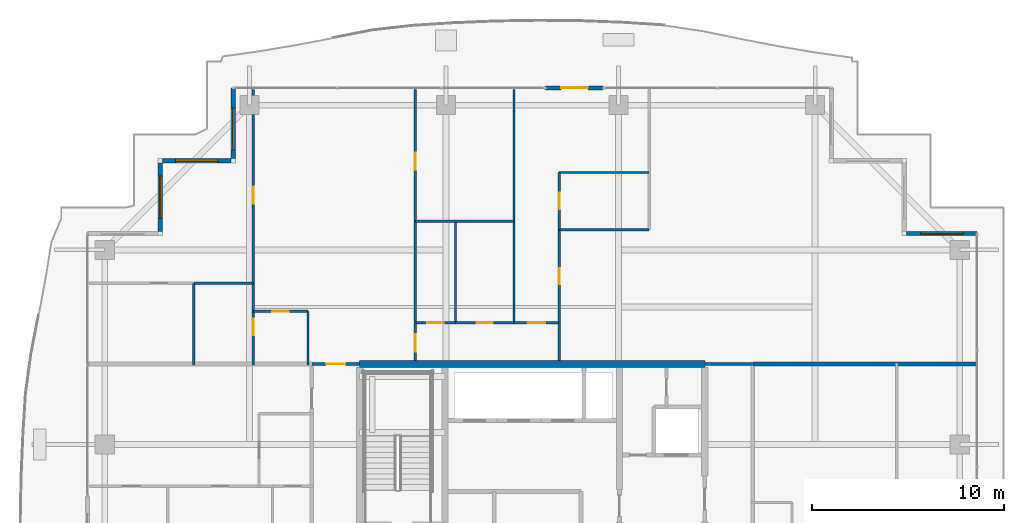
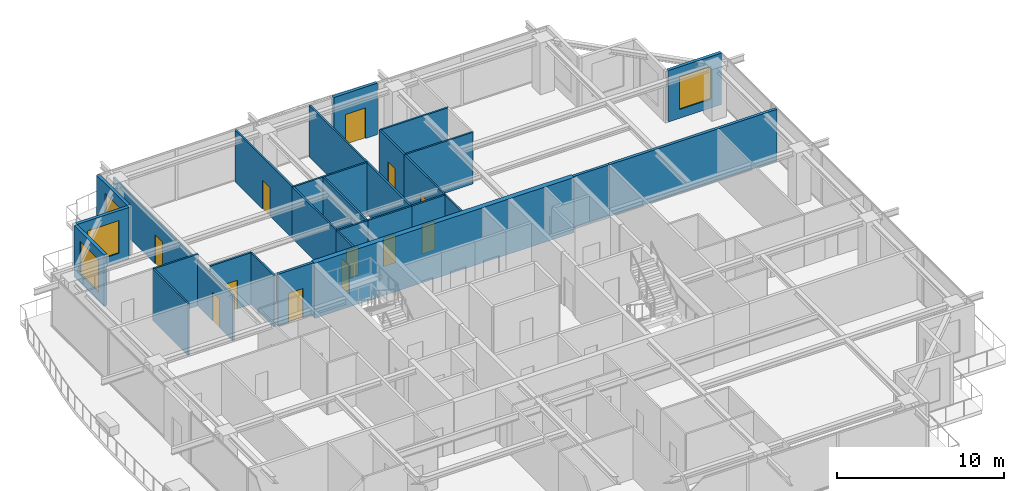
# One storey, part 29 of 37: 29 walls, 12 doors, 4 windows, 16 openings.
"""IFC4 building model written with IfcOpenShell, lengths in metres."""

from ifc_helpers import new_model, si_unit, direction, frame, frame_2d, origin, place, context, subcontext, project, spatial, rectangle, extrude, source, transform, mapped, material, layer, layer_set, type_object, element, fill, save


model = new_model("IFC4")

# Units and contexts
model_context = context("Model", 3, precision=1e-05, world=origin(), true_north=direction((0.0, 1.0)))
body_context = subcontext(model_context, "Body", "Model", "MODEL_VIEW")
ifc_project = project(units=[si_unit("LENGTHUNIT", "METRE"), si_unit("AREAUNIT", "SQUARE_METRE"), si_unit("VOLUMEUNIT", "CUBIC_METRE"), si_unit("PLANEANGLEUNIT", "RADIAN"), si_unit("MASSUNIT", "GRAM", prefix="KILO")], contexts=[model_context])

# Site, building, storey
site_placement = place(None, origin())
site = spatial("IfcSite", under=ifc_project, at=site_placement, CompositionType="ELEMENT")
building_placement = place(site_placement, origin())
building = spatial("IfcBuilding", under=site, at=building_placement, Name="Serunith Strait Residences", CompositionType="ELEMENT")
storey_placement = place(building_placement, frame((0.0, 0.0, 317.75)))
storey = spatial("IfcBuildingStorey", under=building, at=storey_placement, Name="L79", CompositionType="ELEMENT", Elevation=317.75)

# Wall, opening, window
ifc_material_1 = material(Name="Pale-Champagne Aluminium Insulated Panel", Category="aluminium")
ifc_layer_1 = layer(ifc_material_1, 0.219970703125, Name="Pale-Champagne Aluminium Insulated Panel")
ifc_layer_set_1 = layer_set([ifc_layer_1], Name="Pale-Champagne Aluminium Insulated Panel")
wall_type_1 = type_object("IfcWallType", Name="EW-ALUM-220", PredefinedType="ELEMENTEDWALL", material=ifc_layer_set_1)
wall_1_placement = place(storey_placement, frame((55.60009765625, 40.39990234375, 0.0), z_axis=(0.0, 0.0, 1.0), x_axis=(-1.0, 0.0, 0.0)))
wall_1 = element("IfcWall", 1, at=wall_1_placement, inside=storey, type_object=wall_type_1, Name="L79 Girih Serrated Corner Wall 07", PredefinedType="ELEMENTEDWALL", context=body_context, shape_type="SweptSolid", body=[
    extrude(rectangle(XDim=3.690185546875, YDim=0.219970703125, at=frame_2d((1.84521484375, 0.0))), origin(), (0.0, 0.0, 1.0), 3.77490234375),
])
opening_1_placement = place(wall_1_placement, frame((0.7451171875, 0.0, 0.64990234375)))
opening_1 = element("IfcOpeningElement", 2, at=opening_1_placement, cuts=wall_1, Name="Opening W-06", PredefinedType="OPENING", context=body_context, shape_type="SweptSolid", body=[
    extrude(rectangle(XDim=2.199951171875, YDim=2.39990234375, at=frame_2d((1.10009765625, 1.199951171875))), frame((0.0, 0.1201171875, 0.0), z_axis=(0.0, -1.0, 0.0), x_axis=(1.0, 0.0, 0.0)), (0.0, 0.0, 1.0), 0.239990234375),
])
ifc_material_2 = material(Name="Crown Penthouse Low-E Operable Window Glass", Category="glass")
window_type = type_object("IfcWindowType", Name="WIN-C6", PartitioningType="TRIPLE_PANEL_VERTICAL", PredefinedType="WINDOW", material=ifc_material_2)
shared_shape_1 = source(origin(), body_context, "Body", "SweptSolid", [
    extrude(rectangle(XDim=2.199951171875, YDim=2.39990234375, at=frame_2d((1.10009765625, 1.199951171875))), frame((0.0, 0.030029296875, 0.0), z_axis=(0.0, -1.0, 0.0), x_axis=(1.0, 0.0, 0.0)), (0.0, 0.0, 1.0), 0.06005859375),
])
window_1_placement = place(opening_1_placement, origin())
window_1 = element("IfcWindow", 3, at=window_1_placement, inside=storey, type_object=window_type, Name="L79 Corner Operable Fritted Window 07", OverallHeight=2.39990234375, OverallWidth=2.199951171875, PartitioningType="SINGLE_PANEL", PredefinedType="WINDOW", context=body_context, shape_type="MappedRepresentation", body=[
    mapped(shared_shape_1, transform((0.0, 0.0, 0.0), scale=1.0)),
])
fill(opening_1, window_1)

# Wall, opening, door
wall_2_placement = place(storey_placement, frame((36.10009765625, 48.0, 0.0), z_axis=(0.0, 0.0, 1.0), x_axis=(-1.0, 0.0, 0.0)))
wall_2 = element("IfcWall", 4, at=wall_2_placement, inside=storey, type_object=wall_type_1, Name="L79 N Facade Pier Wall", PredefinedType="ELEMENTEDWALL", context=body_context, shape_type="SweptSolid", body=[
    extrude(rectangle(XDim=3.0, YDim=0.219970703125, at=frame_2d((1.5, 0.0))), origin(), (0.0, 0.0, 1.0), 3.77490234375),
])
opening_2_placement = place(wall_2_placement, frame((0.800048828125, 0.0, 0.0)))
opening_2 = element("IfcOpeningElement", 5, at=opening_2_placement, cuts=wall_2, Name="Opening ED-04", PredefinedType="OPENING", context=body_context, shape_type="SweptSolid", body=[
    extrude(rectangle(XDim=1.39990234375, YDim=2.25, at=frame_2d((0.699951171875, 1.125))), frame((0.0, 0.1201171875, 0.0), z_axis=(0.0, -1.0, 0.0), x_axis=(1.0, 0.0, 0.0)), (0.0, 0.0, 1.0), 0.239990234375),
])
ifc_material_3 = material(Name="Thermally-Broken Aluminium Sliding Balcony Door", Category="aluminium")
door_type_1 = type_object("IfcDoorType", Name="ED-BALC-1400", OperationType="NOTDEFINED", PredefinedType="DOOR", material=ifc_material_3)
shared_shape_2 = source(origin(), body_context, "Body", "SweptSolid", [
    extrude(rectangle(XDim=1.39990234375, YDim=2.25, at=frame_2d((0.699951171875, 1.125))), frame((0.0, 0.02490234375, 0.0), z_axis=(0.0, -1.0, 0.0), x_axis=(1.0, 0.0, 0.0)), (0.0, 0.0, 1.0), 0.050048828125),
])
door_1_placement = place(opening_2_placement, origin())
door_1 = element("IfcDoor", 6, at=door_1_placement, inside=storey, type_object=door_type_1, Name="L79 N Vertical-Forest Balcony Door", OperationType="SLIDING_TO_LEFT", OverallHeight=2.25, OverallWidth=1.39990234375, PredefinedType="DOOR", context=body_context, shape_type="MappedRepresentation", body=[
    mapped(shared_shape_2, transform((0.0, 0.0, 0.0), scale=1.0)),
])
fill(opening_2, door_1)

# Wall, opening, window
wall_3_placement = place(storey_placement, frame((16.800048828125, 48.0, 0.0), z_axis=(0.0, 0.0, 1.0), x_axis=(0.0, -1.0, 0.0)))
wall_3 = element("IfcWall", 7, at=wall_3_placement, inside=storey, type_object=wall_type_1, Name="L79 Girih Serrated Corner Wall 12", PredefinedType="ELEMENTEDWALL", context=body_context, shape_type="SweptSolid", body=[
    extrude(rectangle(XDim=3.68994140625, YDim=0.219970703125, at=frame_2d((1.844970703125, 0.0))), origin(), (0.0, 0.0, 1.0), 3.77490234375),
])
opening_3_placement = place(wall_3_placement, frame((1.04296875, 0.0, 0.64990234375)))
opening_3 = element("IfcOpeningElement", 8, at=opening_3_placement, cuts=wall_3, Name="Opening W-06", PredefinedType="OPENING", context=body_context, shape_type="SweptSolid", body=[
    extrude(rectangle(XDim=2.199951171875, YDim=2.39990234375, at=frame_2d((1.10009765625, 1.199951171875))), frame((0.0, 0.1201171875, 0.0), z_axis=(0.0, -1.0, 0.0), x_axis=(1.0, 0.0, 0.0)), (0.0, 0.0, 1.0), 0.239990234375),
])
window_2_placement = place(opening_3_placement, origin())
window_2 = element("IfcWindow", 9, at=window_2_placement, inside=storey, type_object=window_type, Name="L79 Corner Operable Fritted Window 12", OverallHeight=2.39990234375, OverallWidth=2.199951171875, PartitioningType="SINGLE_PANEL", PredefinedType="WINDOW", context=body_context, shape_type="MappedRepresentation", body=[
    mapped(shared_shape_1, transform((0.0, 0.0, 0.0), scale=1.0)),
])
fill(opening_3, window_2)

wall_4_placement = place(storey_placement, frame((16.68994140625, 44.199951171875, 0.0), z_axis=(0.0, 0.0, 1.0), x_axis=(-1.0, 0.0, 0.0)))
wall_4 = element("IfcWall", 10, at=wall_4_placement, inside=storey, type_object=wall_type_1, Name="L79 Girih Serrated Corner Wall 13", PredefinedType="ELEMENTEDWALL", context=body_context, shape_type="SweptSolid", body=[
    extrude(rectangle(XDim=3.579833984375, YDim=0.219970703125, at=frame_2d((1.7900390625, 0.0))), origin(), (0.0, 0.0, 1.0), 3.77490234375),
])
opening_4_placement = place(wall_4_placement, frame((0.68994140625, 0.0, 0.64990234375)))
opening_4 = element("IfcOpeningElement", 11, at=opening_4_placement, cuts=wall_4, Name="Opening W-06", PredefinedType="OPENING", context=body_context, shape_type="SweptSolid", body=[
    extrude(rectangle(XDim=2.199951171875, YDim=2.39990234375, at=frame_2d((1.10009765625, 1.199951171875))), frame((0.0, 0.1201171875, 0.0), z_axis=(0.0, -1.0, 0.0), x_axis=(1.0, 0.0, 0.0)), (0.0, 0.0, 1.0), 0.239990234375),
])
window_3_placement = place(opening_4_placement, origin())
window_3 = element("IfcWindow", 12, at=window_3_placement, inside=storey, type_object=window_type, Name="L79 Corner Operable Fritted Window 13", OverallHeight=2.39990234375, OverallWidth=2.199951171875, PartitioningType="SINGLE_PANEL", PredefinedType="WINDOW", context=body_context, shape_type="MappedRepresentation", body=[
    mapped(shared_shape_1, transform((0.0, 0.0, 0.0), scale=1.0)),
])
fill(opening_4, window_3)

wall_5_placement = place(storey_placement, frame((13.0, 44.090087890625, 0.0), z_axis=(0.0, 0.0, 1.0), x_axis=(0.0, -1.0, 0.0)))
wall_5 = element("IfcWall", 13, at=wall_5_placement, inside=storey, type_object=wall_type_1, Name="L79 Girih Serrated Corner Wall 14", PredefinedType="ELEMENTEDWALL", context=body_context, shape_type="SweptSolid", body=[
    extrude(rectangle(XDim=3.580078125, YDim=0.219970703125, at=frame_2d((1.7900390625, 0.0))), origin(), (0.0, 0.0, 1.0), 3.77490234375),
])
opening_5_placement = place(wall_5_placement, frame((0.68994140625, 0.0, 0.64990234375)))
opening_5 = element("IfcOpeningElement", 14, at=opening_5_placement, cuts=wall_5, Name="Opening W-06", PredefinedType="OPENING", context=body_context, shape_type="SweptSolid", body=[
    extrude(rectangle(XDim=2.199951171875, YDim=2.39990234375, at=frame_2d((1.10009765625, 1.199951171875))), frame((0.0, 0.1201171875, 0.0), z_axis=(0.0, -1.0, 0.0), x_axis=(1.0, 0.0, 0.0)), (0.0, 0.0, 1.0), 0.239990234375),
])
window_4_placement = place(opening_5_placement, origin())
window_4 = element("IfcWindow", 15, at=window_4_placement, inside=storey, type_object=window_type, Name="L79 Corner Operable Fritted Window 14", OverallHeight=2.39990234375, OverallWidth=2.199951171875, PartitioningType="SINGLE_PANEL", PredefinedType="WINDOW", context=body_context, shape_type="MappedRepresentation", body=[
    mapped(shared_shape_1, transform((0.0, 0.0, 0.0), scale=1.0)),
])
fill(opening_5, window_4)

# Wall, opening, door
ifc_material_4 = material(Name="Fire-rated acoustic gypsum partition")
ifc_layer_2 = layer(ifc_material_4, 0.179931640625, Name="Fire-rated acoustic gypsum partition")
ifc_layer_set_2 = layer_set([ifc_layer_2], Name="Fire-rated acoustic gypsum partition")
wall_type_2 = type_object("IfcWallType", Name="IW-CORR-180", PredefinedType="PARTITIONING", material=ifc_layer_set_2)
wall_6_placement = place(storey_placement, frame((20.902099609375, 33.60009765625, 0.0), z_axis=(0.0, 0.0, 1.0), x_axis=(1.0, 0.0, 0.0)))
wall_6 = element("IfcWall", 16, at=wall_6_placement, inside=storey, type_object=wall_type_2, Name="L79 Partition Wall 025", PredefinedType="PARTITIONING", context=body_context, shape_type="SweptSolid", body=[
    extrude(rectangle(XDim=2.495849609375, YDim=0.179931640625, at=frame_2d((1.248046875, 0.0))), origin(), (0.0, 0.0, 1.0), 3.7900390625),
])
opening_6_placement = place(wall_6_placement, frame((0.748046875, 0.0, 0.0)))
opening_6 = element("IfcOpeningElement", 17, at=opening_6_placement, cuts=wall_6, Name="Opening D-APT1000", PredefinedType="OPENING", context=body_context, shape_type="SweptSolid", body=[
    extrude(rectangle(XDim=1.0, YDim=2.14990234375, at=frame_2d((0.5, 1.074951171875))), frame((0.0, 0.10009765625, 0.0), z_axis=(0.0, -1.0, 0.0), x_axis=(1.0, 0.0, 0.0)), (0.0, 0.0, 1.0), 0.199951171875),
])
ifc_material_5 = material(Name="Solid timber engineered fire door", Category="wood")
door_type_2 = type_object("IfcDoorType", Name="ID-APT-1000", OperationType="NOTDEFINED", PredefinedType="DOOR", material=ifc_material_5)
shared_shape_3 = source(origin(), body_context, "Body", "SweptSolid", [
    extrude(rectangle(XDim=1.0, YDim=2.14990234375, at=frame_2d((0.5, 1.074951171875))), frame((0.0, 0.02490234375, 0.0), z_axis=(0.0, -1.0, 0.0), x_axis=(1.0, 0.0, 0.0)), (0.0, 0.0, 1.0), 0.050048828125),
])
door_2_placement = place(opening_6_placement, origin())
door_2 = element("IfcDoor", 18, at=door_2_placement, inside=storey, type_object=door_type_2, Name="L79 Unit 02 Entrance Door", OperationType="SINGLE_SWING_RIGHT", OverallHeight=2.14990234375, OverallWidth=1.0, PredefinedType="DOOR", context=body_context, shape_type="MappedRepresentation", body=[
    mapped(shared_shape_3, transform((0.0, 0.0, 0.0), scale=1.0)),
])
fill(opening_6, door_2)

# Wall
wall_7_placement = place(storey_placement, frame((41.402099609375, 33.60009765625, 0.0), z_axis=(0.0, 0.0, 1.0), x_axis=(1.0, 0.0, 0.0)))
element("IfcWall", 19, at=wall_7_placement, inside=storey, type_object=wall_type_2, Name="L79 Partition Wall 028", PredefinedType="PARTITIONING", context=body_context, shape_type="SweptSolid", body=[
    extrude(rectangle(XDim=2.495849609375, YDim=0.179931640625, at=frame_2d((1.248046875, 0.0))), origin(), (0.0, 0.0, 1.0), 3.7900390625),
])

# Wall, opening, door
ifc_material_6 = material(Name="Lightweight steel-stud gypsum partition", Category="steel")
ifc_layer_3 = layer(ifc_material_6, 0.1201171875, Name="Lightweight steel-stud gypsum partition")
ifc_layer_set_3 = layer_set([ifc_layer_3], Name="Lightweight steel-stud gypsum partition")
wall_type_3 = type_object("IfcWallType", Name="IW-PART-120", PredefinedType="PARTITIONING", material=ifc_layer_set_3)
wall_8_placement = place(storey_placement, frame((17.85009765625, 36.35009765625, 0.0), z_axis=(0.0, 0.0, 1.0), x_axis=(1.0, 0.0, 0.0)))
wall_8 = element("IfcWall", 20, at=wall_8_placement, inside=storey, type_object=wall_type_3, Name="L79 Partition Wall 052", PredefinedType="PARTITIONING", context=body_context, shape_type="SweptSolid", body=[
    extrude(rectangle(XDim=2.849853515625, YDim=0.1201171875, at=frame_2d((1.4248046875, 0.0))), origin(), (0.0, 0.0, 1.0), 3.7900390625),
])
opening_7_placement = place(wall_8_placement, frame((1.0, 0.0, 0.0)))
opening_7 = element("IfcOpeningElement", 21, at=opening_7_placement, cuts=wall_8, Name="Opening D-RM850", PredefinedType="OPENING", context=body_context, shape_type="SweptSolid", body=[
    extrude(rectangle(XDim=0.85009765625, YDim=2.10009765625, at=frame_2d((0.425048828125, 1.050048828125))), frame((0.0, 0.070068359375, 0.0), z_axis=(0.0, -1.0, 0.0), x_axis=(1.0, 0.0, 0.0)), (0.0, 0.0, 1.0), 0.14013671875),
])
ifc_material_7 = material(Name="Engineered timber flush study and kitchen door", Category="wood")
door_type_3 = type_object("IfcDoorType", Name="ID-ROOM-850", OperationType="NOTDEFINED", PredefinedType="DOOR", material=ifc_material_7)
shared_shape_4 = source(origin(), body_context, "Body", "SweptSolid", [
    extrude(rectangle(XDim=0.85009765625, YDim=2.10009765625, at=frame_2d((0.425048828125, 1.050048828125))), frame((0.0, 0.02490234375, 0.0), z_axis=(0.0, -1.0, 0.0), x_axis=(1.0, 0.0, 0.0)), (0.0, 0.0, 1.0), 0.050048828125),
])
door_3_placement = place(opening_7_placement, origin())
door_3 = element("IfcDoor", 22, at=door_3_placement, inside=storey, type_object=door_type_3, Name="L79 Kitchen 7902 Door", OperationType="SINGLE_SWING_RIGHT", OverallHeight=2.10009765625, OverallWidth=0.85009765625, PredefinedType="DOOR", context=body_context, shape_type="MappedRepresentation", body=[
    mapped(shared_shape_4, transform((0.0, 0.0, 0.0), scale=1.0)),
])
fill(opening_7, door_3)

# Wall
wall_9_placement = place(storey_placement, frame((20.699951171875, 36.35009765625, 0.0), z_axis=(0.0, 0.0, 1.0), x_axis=(0.0, -1.0, 0.0)))
element("IfcWall", 23, at=wall_9_placement, inside=storey, type_object=wall_type_3, Name="L79 Partition Wall 053", PredefinedType="PARTITIONING", context=body_context, shape_type="SweptSolid", body=[
    extrude(rectangle(XDim=2.81005859375, YDim=0.1201171875, at=frame_2d((1.405029296875, 0.0))), origin(), (0.0, 0.0, 1.0), 3.7900390625),
])

# Wall, opening, door
wall_10_placement = place(storey_placement, frame((17.85009765625, 47.905029296875, 0.0), z_axis=(0.0, 0.0, 1.0), x_axis=(0.0, -1.0, 0.0)))
wall_10 = element("IfcWall", 24, at=wall_10_placement, inside=storey, type_object=wall_type_3, Name="L79 Partition Wall 054", PredefinedType="PARTITIONING", context=body_context, shape_type="SweptSolid", body=[
    extrude(rectangle(XDim=10.09814453125, YDim=0.1201171875, at=frame_2d((5.049072265625, 0.0))), origin(), (0.0, 0.0, 1.0), 3.2919921875),
])
opening_8_placement = place(wall_10_placement, frame((5.05908203125, 0.0, 0.0)))
opening_8 = element("IfcOpeningElement", 25, at=opening_8_placement, cuts=wall_10, Name="Opening D-RM900", PredefinedType="OPENING", context=body_context, shape_type="SweptSolid", body=[
    extrude(rectangle(XDim=0.89990234375, YDim=2.10009765625, at=frame_2d((0.449951171875, 1.050048828125))), frame((0.0, 0.070068359375, 0.0), z_axis=(0.0, -1.0, 0.0), x_axis=(1.0, 0.0, 0.0)), (0.0, 0.0, 1.0), 0.14013671875),
])
ifc_material_8 = material(Name="Engineered timber flush bedroom door", Category="wood")
door_type_4 = type_object("IfcDoorType", Name="ID-ROOM-900", OperationType="NOTDEFINED", PredefinedType="DOOR", material=ifc_material_8)
shared_shape_5 = source(origin(), body_context, "Body", "SweptSolid", [
    extrude(rectangle(XDim=0.89990234375, YDim=2.10009765625, at=frame_2d((0.449951171875, 1.050048828125))), frame((0.0, 0.02490234375, 0.0), z_axis=(0.0, -1.0, 0.0), x_axis=(1.0, 0.0, 0.0)), (0.0, 0.0, 1.0), 0.050048828125),
])
door_4_placement = place(opening_8_placement, origin())
door_4 = element("IfcDoor", 26, at=door_4_placement, inside=storey, type_object=door_type_4, Name="L79 Master Bedroom 1 7902 Door", OperationType="SINGLE_SWING_LEFT", OverallHeight=2.10009765625, OverallWidth=0.89990234375, PredefinedType="DOOR", context=body_context, shape_type="MappedRepresentation", body=[
    mapped(shared_shape_5, transform((0.0, 0.0, 0.0), scale=1.0)),
])
fill(opening_8, door_4)

# Walls
wall_11_placement = place(storey_placement, frame((14.751953125, 37.806884765625, 0.0), z_axis=(0.0, 0.0, 1.0), x_axis=(1.0, 0.0, 0.0)))
element("IfcWall", 27, at=wall_11_placement, inside=storey, type_object=wall_type_3, Name="L79 Partition Wall 056", PredefinedType="PARTITIONING", context=body_context, shape_type="SweptSolid", body=[
    extrude(rectangle(XDim=3.09814453125, YDim=0.1201171875, at=frame_2d((1.549072265625, 0.0))), origin(), (0.0, 0.0, 1.0), 3.7900390625),
])
wall_12_placement = place(storey_placement, frame((14.75, 37.806884765625, 0.0), z_axis=(0.0, 0.0, 1.0), x_axis=(0.0, -1.0, 0.0)))
element("IfcWall", 28, at=wall_12_placement, inside=storey, type_object=wall_type_3, Name="L79 Partition Wall 057", PredefinedType="PARTITIONING", context=body_context, shape_type="SweptSolid", body=[
    extrude(rectangle(XDim=4.266845703125, YDim=0.1201171875, at=frame_2d((2.13330078125, 0.0))), origin(), (0.0, 0.0, 1.0), 3.7900390625),
])

# Wall, opening, door
wall_13_placement = place(storey_placement, frame((17.85009765625, 37.804931640625, 0.0), z_axis=(0.0, 0.0, 1.0), x_axis=(0.0, -1.0, 0.0)))
wall_13 = element("IfcWall", 29, at=wall_13_placement, inside=storey, type_object=wall_type_3, Name="L79 Partition Wall 058", PredefinedType="PARTITIONING", context=body_context, shape_type="SweptSolid", body=[
    extrude(rectangle(XDim=4.264892578125, YDim=0.1201171875, at=frame_2d((2.13232421875, 0.0))), origin(), (0.0, 0.0, 1.0), 3.3720703125),
])
opening_9_placement = place(wall_13_placement, frame((1.847900390625, 0.0, 0.0)))
opening_9 = element("IfcOpeningElement", 30, at=opening_9_placement, cuts=wall_13, Name="Opening D-BTH850", PredefinedType="OPENING", context=body_context, shape_type="SweptSolid", body=[
    extrude(rectangle(XDim=0.85009765625, YDim=2.10009765625, at=frame_2d((0.425048828125, 1.050048828125))), frame((0.0, 0.070068359375, 0.0), z_axis=(0.0, -1.0, 0.0), x_axis=(1.0, 0.0, 0.0)), (0.0, 0.0, 1.0), 0.14013671875),
])
ifc_material_9 = material(Name="Moisture-resistant timber bathroom door", Category="wood")
door_type_5 = type_object("IfcDoorType", Name="ID-BATH-850", OperationType="NOTDEFINED", PredefinedType="DOOR", material=ifc_material_9)
door_5_placement = place(opening_9_placement, origin())
door_5 = element("IfcDoor", 31, at=door_5_placement, inside=storey, type_object=door_type_5, Name="L79 Bathroom 7902 Door", OperationType="SINGLE_SWING_LEFT", OverallHeight=2.10009765625, OverallWidth=0.85009765625, PredefinedType="DOOR", context=body_context, shape_type="MappedRepresentation", body=[
    mapped(shared_shape_4, transform((0.0, 0.0, 0.0), scale=1.0)),
])
fill(opening_9, door_5)

wall_14_placement = place(storey_placement, frame((26.300048828125, 35.75, 0.0), z_axis=(0.0, 0.0, 1.0), x_axis=(0.0, -1.0, 0.0)))
wall_14 = element("IfcWall", 32, at=wall_14_placement, inside=storey, type_object=wall_type_3, Name="L79 Partition Wall 059", PredefinedType="PARTITIONING", context=body_context, shape_type="SweptSolid", body=[
    extrude(rectangle(XDim=1.97509765625, YDim=0.1201171875, at=frame_2d((0.987548828125, 0.0))), origin(), (0.0, 0.0, 1.0), 3.7900390625),
])
opening_10_placement = place(wall_14_placement, frame((0.60107421875, 0.0, 0.0)))
opening_10 = element("IfcOpeningElement", 33, at=opening_10_placement, cuts=wall_14, Name="Opening D-RM900", PredefinedType="OPENING", context=body_context, shape_type="SweptSolid", body=[
    extrude(rectangle(XDim=0.89990234375, YDim=2.10009765625, at=frame_2d((0.449951171875, 1.050048828125))), frame((0.0, 0.070068359375, 0.0), z_axis=(0.0, -1.0, 0.0), x_axis=(1.0, 0.0, 0.0)), (0.0, 0.0, 1.0), 0.14013671875),
])
door_6_placement = place(opening_10_placement, origin())
door_6 = element("IfcDoor", 34, at=door_6_placement, inside=storey, type_object=door_type_4, Name="L79 Hall E 7902 Door", OperationType="SINGLE_SWING_RIGHT", OverallHeight=2.10009765625, OverallWidth=0.89990234375, PredefinedType="DOOR", context=body_context, shape_type="MappedRepresentation", body=[
    mapped(shared_shape_5, transform((0.0, 0.0, 0.0), scale=1.0)),
])
fill(opening_10, door_6)

wall_15_placement = place(storey_placement, frame((26.300048828125, 47.905029296875, 0.0), z_axis=(0.0, 0.0, 1.0), x_axis=(0.0, -1.0, 0.0)))
wall_15 = element("IfcWall", 35, at=wall_15_placement, inside=storey, type_object=wall_type_3, Name="L79 Partition Wall 060", PredefinedType="PARTITIONING", context=body_context, shape_type="SweptSolid", body=[
    extrude(rectangle(XDim=6.860107421875, YDim=0.1201171875, at=frame_2d((3.43017578125, 0.0))), origin(), (0.0, 0.0, 1.0), 3.7900390625),
])
opening_11_placement = place(wall_15_placement, frame((3.278076171875, 0.0, 0.0)))
opening_11 = element("IfcOpeningElement", 36, at=opening_11_placement, cuts=wall_15, Name="Opening D-RM900", PredefinedType="OPENING", context=body_context, shape_type="SweptSolid", body=[
    extrude(rectangle(XDim=0.89990234375, YDim=2.10009765625, at=frame_2d((0.449951171875, 1.050048828125))), frame((0.0, 0.070068359375, 0.0), z_axis=(0.0, -1.0, 0.0), x_axis=(1.0, 0.0, 0.0)), (0.0, 0.0, 1.0), 0.14013671875),
])
door_7_placement = place(opening_11_placement, origin())
door_7 = element("IfcDoor", 37, at=door_7_placement, inside=storey, type_object=door_type_4, Name="L79 Formal Dining Room 2 7902 Door", OperationType="SINGLE_SWING_LEFT", OverallHeight=2.10009765625, OverallWidth=0.89990234375, PredefinedType="DOOR", context=body_context, shape_type="MappedRepresentation", body=[
    mapped(shared_shape_5, transform((0.0, 0.0, 0.0), scale=1.0)),
])
fill(opening_11, door_7)

# Walls
wall_16_placement = place(storey_placement, frame((26.300048828125, 41.04296875, 0.0), z_axis=(0.0, 0.0, 1.0), x_axis=(0.0, -1.0, 0.0)))
element("IfcWall", 38, at=wall_16_placement, inside=storey, type_object=wall_type_3, Name="L79 Partition Wall 061", PredefinedType="PARTITIONING", context=body_context, shape_type="SweptSolid", body=[
    extrude(rectangle(XDim=5.291015625, YDim=0.1201171875, at=frame_2d((2.6455078125, 0.0))), origin(), (0.0, 0.0, 1.0), 3.7900390625),
])
wall_17_placement = place(storey_placement, frame((26.300048828125, 41.044921875, 0.0), z_axis=(0.0, 0.0, 1.0), x_axis=(1.0, 0.0, 0.0)))
element("IfcWall", 39, at=wall_17_placement, inside=storey, type_object=wall_type_3, Name="L79 Partition Wall 062", PredefinedType="PARTITIONING", context=body_context, shape_type="SweptSolid", body=[
    extrude(rectangle(XDim=5.14990234375, YDim=0.1201171875, at=frame_2d((2.574951171875, 0.0))), origin(), (0.0, 0.0, 1.0), 3.7900390625),
])
wall_18_placement = place(storey_placement, frame((31.449951171875, 47.905029296875, 0.0), z_axis=(0.0, 0.0, 1.0), x_axis=(0.0, -1.0, 0.0)))
element("IfcWall", 40, at=wall_18_placement, inside=storey, type_object=wall_type_3, Name="L79 Partition Wall 063", PredefinedType="PARTITIONING", context=body_context, shape_type="SweptSolid", body=[
    extrude(rectangle(XDim=12.155029296875, YDim=0.1201171875, at=frame_2d((6.07763671875, 0.0))), origin(), (0.0, 0.0, 1.0), 3.7900390625),
])
wall_19_placement = place(storey_placement, frame((28.39990234375, 41.044921875, 0.0), z_axis=(0.0, 0.0, 1.0), x_axis=(0.0, -1.0, 0.0)))
element("IfcWall", 41, at=wall_19_placement, inside=storey, type_object=wall_type_3, Name="L79 Partition Wall 064", PredefinedType="PARTITIONING", context=body_context, shape_type="SweptSolid", body=[
    extrude(rectangle(XDim=5.294921875, YDim=0.1201171875, at=frame_2d((2.6474609375, 0.0))), origin(), (0.0, 0.0, 1.0), 3.7900390625),
])

# Wall, opening, door
wall_20_placement = place(storey_placement, frame((26.300048828125, 35.75, 0.0), z_axis=(0.0, 0.0, 1.0), x_axis=(1.0, 0.0, 0.0)))
wall_20 = element("IfcWall", 42, at=wall_20_placement, inside=storey, type_object=wall_type_3, Name="L79 Partition Wall 065", PredefinedType="PARTITIONING", context=body_context, shape_type="SweptSolid", body=[
    extrude(rectangle(XDim=2.099853515625, YDim=0.1201171875, at=frame_2d((1.0498046875, 0.0))), origin(), (0.0, 0.0, 1.0), 3.7900390625),
])
opening_12_placement = place(wall_20_placement, frame((0.625, 0.0, 0.0)))
opening_12 = element("IfcOpeningElement", 43, at=opening_12_placement, cuts=wall_20, Name="Opening D-RM850", PredefinedType="OPENING", context=body_context, shape_type="SweptSolid", body=[
    extrude(rectangle(XDim=0.85009765625, YDim=2.10009765625, at=frame_2d((0.425048828125, 1.050048828125))), frame((0.0, 0.070068359375, 0.0), z_axis=(0.0, -1.0, 0.0), x_axis=(1.0, 0.0, 0.0)), (0.0, 0.0, 1.0), 0.14013671875),
])
door_8_placement = place(opening_12_placement, origin())
door_8 = element("IfcDoor", 44, at=door_8_placement, inside=storey, type_object=door_type_3, Name="L79 Study 7902 Door", OperationType="SINGLE_SWING_RIGHT", OverallHeight=2.10009765625, OverallWidth=0.85009765625, PredefinedType="DOOR", context=body_context, shape_type="MappedRepresentation", body=[
    mapped(shared_shape_4, transform((0.0, 0.0, 0.0), scale=1.0)),
])
fill(opening_12, door_8)

wall_21_placement = place(storey_placement, frame((28.402099609375, 35.75, 0.0), z_axis=(0.0, 0.0, 1.0), x_axis=(1.0, 0.0, 0.0)))
wall_21 = element("IfcWall", 45, at=wall_21_placement, inside=storey, type_object=wall_type_3, Name="L79 Partition Wall 066", PredefinedType="PARTITIONING", context=body_context, shape_type="SweptSolid", body=[
    extrude(rectangle(XDim=3.0478515625, YDim=0.1201171875, at=frame_2d((1.52392578125, 0.0))), origin(), (0.0, 0.0, 1.0), 3.7900390625),
])
opening_13_placement = place(wall_21_placement, frame((1.09912109375, 0.0, 0.0)))
opening_13 = element("IfcOpeningElement", 46, at=opening_13_placement, cuts=wall_21, Name="Opening D-RM850", PredefinedType="OPENING", context=body_context, shape_type="SweptSolid", body=[
    extrude(rectangle(XDim=0.85009765625, YDim=2.10009765625, at=frame_2d((0.425048828125, 1.050048828125))), frame((0.0, 0.070068359375, 0.0), z_axis=(0.0, -1.0, 0.0), x_axis=(1.0, 0.0, 0.0)), (0.0, 0.0, 1.0), 0.14013671875),
])
door_9_placement = place(opening_13_placement, origin())
door_9 = element("IfcDoor", 47, at=door_9_placement, inside=storey, type_object=door_type_3, Name="L79 Formal Dining Room 7902 Door", OperationType="SINGLE_SWING_LEFT", OverallHeight=2.10009765625, OverallWidth=0.85009765625, PredefinedType="DOOR", context=body_context, shape_type="MappedRepresentation", body=[
    mapped(shared_shape_4, transform((0.0, 0.0, 0.0), scale=1.0)),
])
fill(opening_13, door_9)

wall_22_placement = place(storey_placement, frame((31.451904296875, 35.75, 0.0), z_axis=(0.0, 0.0, 1.0), x_axis=(1.0, 0.0, 0.0)))
wall_22 = element("IfcWall", 48, at=wall_22_placement, inside=storey, type_object=wall_type_3, Name="L79 Partition Wall 067", PredefinedType="PARTITIONING", context=body_context, shape_type="SweptSolid", body=[
    extrude(rectangle(XDim=2.34814453125, YDim=0.1201171875, at=frame_2d((1.174072265625, 0.0))), origin(), (0.0, 0.0, 1.0), 3.7900390625),
])
opening_14_placement = place(wall_22_placement, frame((0.72412109375, 0.0, 0.0)))
opening_14 = element("IfcOpeningElement", 49, at=opening_14_placement, cuts=wall_22, Name="Opening D-RM900", PredefinedType="OPENING", context=body_context, shape_type="SweptSolid", body=[
    extrude(rectangle(XDim=0.89990234375, YDim=2.10009765625, at=frame_2d((0.449951171875, 1.050048828125))), frame((0.0, 0.070068359375, 0.0), z_axis=(0.0, -1.0, 0.0), x_axis=(1.0, 0.0, 0.0)), (0.0, 0.0, 1.0), 0.14013671875),
])
door_10_placement = place(opening_14_placement, origin())
door_10 = element("IfcDoor", 50, at=door_10_placement, inside=storey, type_object=door_type_4, Name="L79 Master Bedroom E 7902 Door", OperationType="SINGLE_SWING_RIGHT", OverallHeight=2.10009765625, OverallWidth=0.89990234375, PredefinedType="DOOR", context=body_context, shape_type="MappedRepresentation", body=[
    mapped(shared_shape_5, transform((0.0, 0.0, 0.0), scale=1.0)),
])
fill(opening_14, door_10)

# Walls
for number, where, z_axis, x_axis, name in (
    (51, (33.800048828125, 43.587890625, 0.0), (0.0, 0.0, 1.0), (1.0, 0.0, 0.0), "L79 Partition Wall 068"),
    (52, (33.800048828125, 40.60888671875, 0.0), (0.0, 0.0, 1.0), (1.0, 0.0, 0.0), "L79 Partition Wall 070"),
):
    element("IfcWall", number, at=place(storey_placement, frame(where, z_axis=z_axis, x_axis=x_axis)), inside=storey, type_object=wall_type_3, Name=name, PredefinedType="PARTITIONING", context=body_context, shape_type="SweptSolid", body=[
        extrude(rectangle(XDim=4.699951171875, YDim=0.1201171875, at=frame_2d((2.35009765625, 0.0))), origin(), (0.0, 0.0, 1.0), 3.7900390625),
    ])

# Wall, opening, door
wall_23_placement = place(storey_placement, frame((33.800048828125, 43.587890625, 0.0), z_axis=(0.0, 0.0, 1.0), x_axis=(0.0, -1.0, 0.0)))
wall_23 = element("IfcWall", 53, at=wall_23_placement, inside=storey, type_object=wall_type_3, Name="L79 Partition Wall 071", PredefinedType="PARTITIONING", context=body_context, shape_type="SweptSolid", body=[
    extrude(rectangle(XDim=2.97900390625, YDim=0.1201171875, at=frame_2d((1.489501953125, 0.0))), origin(), (0.0, 0.0, 1.0), 3.7900390625),
])
opening_15_placement = place(wall_23_placement, frame((1.06396484375, 0.0, 0.0)))
opening_15 = element("IfcOpeningElement", 54, at=opening_15_placement, cuts=wall_23, Name="Opening D-BTH850", PredefinedType="OPENING", context=body_context, shape_type="SweptSolid", body=[
    extrude(rectangle(XDim=0.85009765625, YDim=2.10009765625, at=frame_2d((0.425048828125, 1.050048828125))), frame((0.0, 0.070068359375, 0.0), z_axis=(0.0, -1.0, 0.0), x_axis=(1.0, 0.0, 0.0)), (0.0, 0.0, 1.0), 0.14013671875),
])
door_11_placement = place(opening_15_placement, origin())
door_11 = element("IfcDoor", 55, at=door_11_placement, inside=storey, type_object=door_type_5, Name="L79 En-suite Bathroom E 7902 Door", OperationType="SINGLE_SWING_LEFT", OverallHeight=2.10009765625, OverallWidth=0.85009765625, PredefinedType="DOOR", context=body_context, shape_type="MappedRepresentation", body=[
    mapped(shared_shape_4, transform((0.0, 0.0, 0.0), scale=1.0)),
])
fill(opening_15, door_11)

wall_24_placement = place(storey_placement, frame((33.800048828125, 40.60693359375, 0.0), z_axis=(0.0, 0.0, 1.0), x_axis=(0.0, -1.0, 0.0)))
wall_24 = element("IfcWall", 56, at=wall_24_placement, inside=storey, type_object=wall_type_3, Name="L79 Partition Wall 072", PredefinedType="PARTITIONING", context=body_context, shape_type="SweptSolid", body=[
    extrude(rectangle(XDim=4.85693359375, YDim=0.1201171875, at=frame_2d((2.428466796875, 0.0))), origin(), (0.0, 0.0, 1.0), 3.7900390625),
])
opening_16_placement = place(wall_24_placement, frame((2.0029296875, 0.0, 0.0)))
opening_16 = element("IfcOpeningElement", 57, at=opening_16_placement, cuts=wall_24, Name="Opening D-RM850", PredefinedType="OPENING", context=body_context, shape_type="SweptSolid", body=[
    extrude(rectangle(XDim=0.85009765625, YDim=2.10009765625, at=frame_2d((0.425048828125, 1.050048828125))), frame((0.0, 0.070068359375, 0.0), z_axis=(0.0, -1.0, 0.0), x_axis=(1.0, 0.0, 0.0)), (0.0, 0.0, 1.0), 0.14013671875),
])
door_12_placement = place(opening_16_placement, origin())
door_12 = element("IfcDoor", 58, at=door_12_placement, inside=storey, type_object=door_type_3, Name="L79 Wardrobe E 7902 Door", OperationType="SINGLE_SWING_RIGHT", OverallHeight=2.10009765625, OverallWidth=0.85009765625, PredefinedType="DOOR", context=body_context, shape_type="MappedRepresentation", body=[
    mapped(shared_shape_4, transform((0.0, 0.0, 0.0), scale=1.0)),
])
fill(opening_16, door_12)

# Walls
wall_25_placement = place(storey_placement, frame((33.800048828125, 35.748046875, 0.0), z_axis=(0.0, 0.0, 1.0), x_axis=(0.0, -1.0, 0.0)))
element("IfcWall", 59, at=wall_25_placement, inside=storey, type_object=wall_type_3, Name="L79 Partition Wall 073", PredefinedType="PARTITIONING", context=body_context, shape_type="SweptSolid", body=[
    extrude(rectangle(XDim=1.97314453125, YDim=0.1201171875, at=frame_2d((0.986572265625, 0.0))), origin(), (0.0, 0.0, 1.0), 3.7900390625),
])
ifc_material_10 = material(Name="Twin-stud acoustic gypsum board partition")
ifc_layer_4 = layer(ifc_material_10, 0.199951171875, Name="Twin-stud acoustic gypsum board partition")
ifc_layer_set_4 = layer_set([ifc_layer_4], Name="Twin-stud acoustic gypsum board partition")
wall_type_4 = type_object("IfcWallType", Name="IW-PARTY-200", PredefinedType="PARTITIONING", material=ifc_layer_set_4)
wall_26_placement = place(storey_placement, frame((43.89990234375, 33.60009765625, 0.0), z_axis=(0.0, 0.0, 1.0), x_axis=(1.0, 0.0, 0.0)))
element("IfcWall", 60, at=wall_26_placement, inside=storey, type_object=wall_type_4, Name="L79 Partition Wall 023", PredefinedType="PARTITIONING", context=body_context, shape_type="SweptSolid", body=[
    extrude(rectangle(XDim=11.6181640625, YDim=0.199951171875, at=frame_2d((5.80908203125, 0.0))), origin(), (0.0, 0.0, 1.0), 3.7900390625),
])
ifc_material_11 = material(Name="Concrete C60/75", Category="concrete")
ifc_layer_5 = layer(ifc_material_11, 0.35009765625, Name="Concrete C60/75")
ifc_layer_set_5 = layer_set([ifc_layer_5], Name="Concrete C60/75")
wall_type_5 = type_object("IfcWallType", Name="SW-350-C60", PredefinedType="SHEAR", material=ifc_layer_set_5)
wall_27_placement = place(storey_placement, frame((41.39990234375, 33.60009765625, -0.260009765625), z_axis=(0.0, 0.0, 1.0), x_axis=(-1.0, 0.0, 0.0)))
element("IfcWall", 61, at=wall_27_placement, inside=storey, type_object=wall_type_5, Name="L79 Core North Shear Wall", PredefinedType="SHEAR", context=body_context, shape_type="SweptSolid", body=[
    extrude(rectangle(XDim=18.0, YDim=0.35009765625, at=frame_2d((9.0, 0.0))), origin(), (0.0, 0.0, 1.0), 4.048095703125),
])

save(model, "model.ifc")
